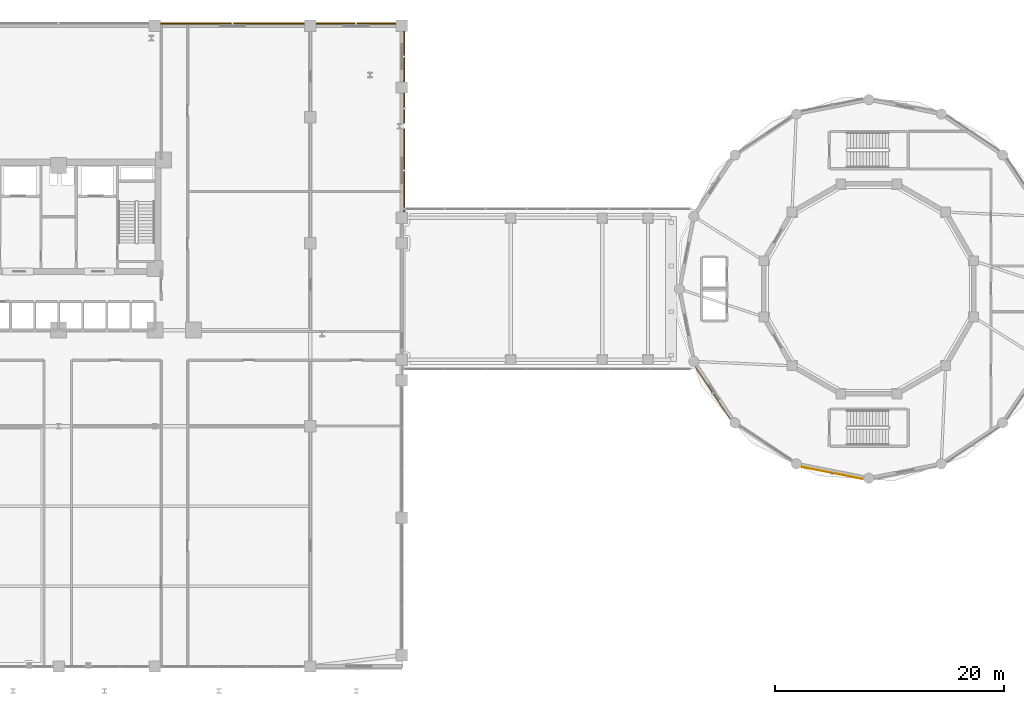
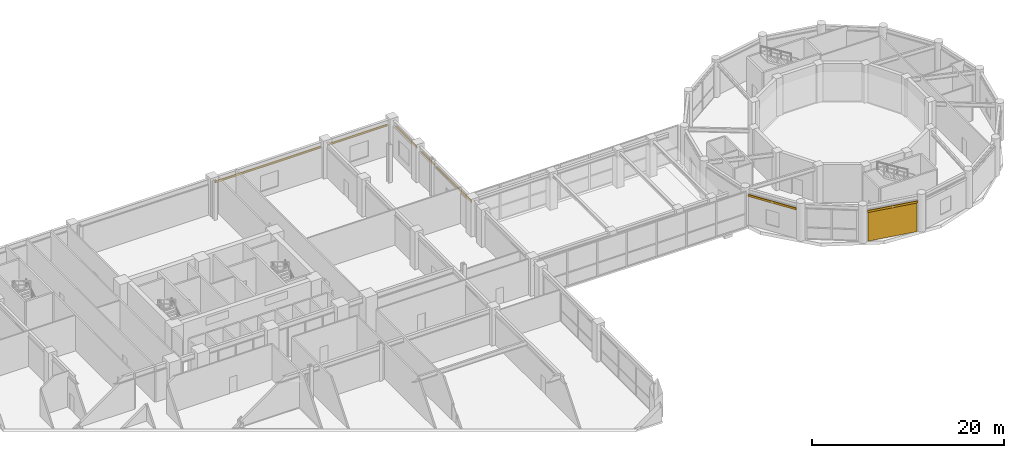
# One storey, part 44 of 48: 7 shading devices, 1 covering.
"""IFC4 building model written with IfcOpenShell, lengths in metres."""

from ifc_helpers import new_model, si_unit, derived_unit, direction, frame, origin, origin_2d, place, context, subcontext, project, spatial, polyline, hollow_rectangle, outline, extrude, source, transform, mapped, material, layer, layer_set, material_profile, profile_set, type_object, element, save


model = new_model("IFC4")

# Units and contexts
model_context = context("Model", 3, precision=1e-05, world=origin(), true_north=direction((0.0, 1.0)))
body_context = subcontext(model_context, "Body", "Model", "MODEL_VIEW")
ifc_project = project(units=[si_unit("LENGTHUNIT", "METRE"), si_unit("AREAUNIT", "SQUARE_METRE"), si_unit("VOLUMEUNIT", "CUBIC_METRE"), si_unit("PLANEANGLEUNIT", "RADIAN"), si_unit("MASSUNIT", "GRAM", prefix="KILO"), derived_unit("THERMALTRANSMITTANCEUNIT", [(si_unit("POWERUNIT", "WATT"), 1), (si_unit("LENGTHUNIT", "METRE"), -2), (si_unit("THERMODYNAMICTEMPERATUREUNIT", "KELVIN"), -1)])], contexts=[model_context])

# Site, building, storey
site_placement = place(None, origin())
site = spatial("IfcSite", under=ifc_project, at=site_placement, CompositionType="ELEMENT")
building_placement = place(site_placement, origin())
building = spatial("IfcBuilding", under=site, at=building_placement, Name="Korsvarv Bourse and Concert Hall", CompositionType="ELEMENT")
storey_placement = place(building_placement, frame((0.0, 0.0, 4.800048828125)))
storey = spatial("IfcBuildingStorey", under=building, at=storey_placement, Name="L01", CompositionType="ELEMENT", Elevation=4.800048828125)

# Covering
ifc_material_1 = material(Name="Warm iron-oxide extruded terracotta rainscreen tile", Category="ceramic")
ifc_layer = layer(ifc_material_1, 0.044921875)
ifc_layer_set = layer_set([ifc_layer], Name="Warm iron-oxide extruded terracotta rainscreen tile")
covering_type = type_object("IfcCoveringType", Name="COV-CLD-TC", PredefinedType="CLADDING", material=ifc_layer_set)
covering_placement = place(storey_placement, origin())
element("IfcCovering", 1, at=covering_placement, inside=storey, type_object=covering_type, Name="L01 fluted terracotta cladding panel EW-L01-CHD12", PredefinedType="CLADDING", context=body_context, shape_type="SweptSolid", body=[
    extrude(outline(polyline([(100.965087890625, 20.472900390625), (106.248779296875, 19.422119140625), (106.239990234375, 19.3779296875), (100.956298828125, 20.428955078125), (100.965087890625, 20.472900390625)])), origin(), (0.0, 0.0, 1.0), 3.6298828125),
])

# Shading devices
ifc_material_2 = material(Name="Glazed extruded architectural terracotta", Category="ceramic")
ifc_material_profile = material_profile(ifc_material_2, hollow_rectangle(XDim=0.090087890625, YDim=0.260009765625, WallThickness=0.011962890625, at=origin_2d()), Name="TC-BAG 90x260")
ifc_profile_set = profile_set([ifc_material_profile], Name="Glazed extruded architectural terracotta")
shading_device_type = type_object("IfcShadingDeviceType", Name="SHD-BAG-1", PredefinedType="USERDEFINED", material=ifc_profile_set)
shared_shape_1 = source(origin(), body_context, "Body", "SweptSolid", [
    extrude(hollow_rectangle(XDim=0.090087890625, YDim=0.260009765625, WallThickness=0.011962890625, at=origin_2d()), origin(), (0.0, 0.0, 1.0), 12.590087890625),
])
shading_device_1_placement = place(storey_placement, frame((44.905029296875, 59.195068359375, 3.659912109375), z_axis=(1.0, 0.0, 0.0), x_axis=(0.0, 1.0, 0.0)))
element("IfcShadingDevice", 2, at=shading_device_1_placement, inside=storey, type_object=shading_device_type, Name="L01 terracotta baguette sunshade EW-L01-N4", ObjectType="BAGUETTE", PredefinedType="USERDEFINED", context=body_context, shape_type="MappedRepresentation", body=[
    mapped(shared_shape_1, transform((0.0, 0.0, 0.0), scale=1.0)),
])
shared_shape_2 = source(origin(), body_context, "Body", "SweptSolid", [
    extrude(hollow_rectangle(XDim=0.090087890625, YDim=0.260009765625, WallThickness=0.011962890625, at=origin_2d()), origin(), (0.0, 0.0, 1.0), 6.990234375),
])
shading_device_2_placement = place(storey_placement, frame((58.5048828125, 59.195068359375, 3.659912109375), z_axis=(1.0, 0.0, 0.0), x_axis=(0.0, 1.0, 0.0)))
element("IfcShadingDevice", 3, at=shading_device_2_placement, inside=storey, type_object=shading_device_type, Name="L01 terracotta baguette sunshade EW-L01-N5", ObjectType="BAGUETTE", PredefinedType="USERDEFINED", context=body_context, shape_type="MappedRepresentation", body=[
    mapped(shared_shape_2, transform((0.0, 0.0, 0.0), scale=1.0)),
])
shared_shape_3 = source(origin(), body_context, "Body", "SweptSolid", [
    extrude(hollow_rectangle(XDim=0.090087890625, YDim=0.260009765625, WallThickness=0.011962890625, at=origin_2d()), origin(), (0.0, 0.0, 1.0), 2.6357421875),
])
shading_device_3_placement = place(storey_placement, frame((66.195068359375, 50.459228515625, 3.659912109375), z_axis=(0.0, 1.0, 0.0), x_axis=(-1.0, 0.0, 0.0)))
element("IfcShadingDevice", 4, at=shading_device_3_placement, inside=storey, type_object=shading_device_type, Name="L01 terracotta baguette sunshade EW-L01-E3-2", ObjectType="BAGUETTE", PredefinedType="USERDEFINED", context=body_context, shape_type="MappedRepresentation", body=[
    mapped(shared_shape_3, transform((0.0, 0.0, 0.0), scale=1.0)),
])
shared_shape_4 = source(origin(), body_context, "Body", "SweptSolid", [
    extrude(hollow_rectangle(XDim=0.090087890625, YDim=0.260009765625, WallThickness=0.011962890625, at=origin_2d()), origin(), (0.0, 0.0, 1.0), 4.39013671875),
])
shading_device_4_placement = place(storey_placement, frame((66.195068359375, 54.10498046875, 3.659912109375), z_axis=(0.0, 1.0, 0.0), x_axis=(-1.0, 0.0, 0.0)))
element("IfcShadingDevice", 5, at=shading_device_4_placement, inside=storey, type_object=shading_device_type, Name="L01 terracotta baguette sunshade EW-L01-E4", ObjectType="BAGUETTE", PredefinedType="USERDEFINED", context=body_context, shape_type="MappedRepresentation", body=[
    mapped(shared_shape_4, transform((0.0, 0.0, 0.0), scale=1.0)),
])
shared_shape_5 = source(origin(), body_context, "Body", "SweptSolid", [
    extrude(hollow_rectangle(XDim=0.090087890625, YDim=0.260009765625, WallThickness=0.011962890625, at=origin_2d()), origin(), (0.0, 0.0, 1.0), 7.27001953125),
])
shading_device_5_placement = place(storey_placement, frame((66.195068359375, 42.705078125, 3.659912109375), z_axis=(0.0, 1.0, 0.0), x_axis=(-1.0, 0.0, 0.0)))
element("IfcShadingDevice", 6, at=shading_device_5_placement, inside=storey, type_object=shading_device_type, Name="L01 terracotta baguette sunshade EW-L01-E3-1", ObjectType="BAGUETTE", PredefinedType="USERDEFINED", context=body_context, shape_type="MappedRepresentation", body=[
    mapped(shared_shape_5, transform((0.0, 0.0, 0.0), scale=1.0)),
])
shared_shape_6 = source(origin(), body_context, "Body", "SweptSolid", [
    extrude(hollow_rectangle(XDim=0.090087890625, YDim=0.260009765625, WallThickness=0.011962890625, at=origin_2d()), origin(), (0.0, 0.0, 1.0), 5.54736328125),
])
for number, where, z_axis, x_axis, name in (
    (7, (91.6171875, 29.191162109375, 3.7900390625), (0.555573305798, -0.831467559129, 0.0), (0.831467559129, 0.555573305798, 0.0), "L01 terracotta baguette sunshade EW-L01-CHD10"),
    (8, (100.87890625, 20.449462890625, 3.7900390625), (0.980783277025, -0.195100393406, 0.0), (0.195100393406, 0.980783277025, 0.0), "L01 terracotta baguette sunshade EW-L01-CHD12"),
):
    element("IfcShadingDevice", number, at=place(storey_placement, frame(where, z_axis=z_axis, x_axis=x_axis)), inside=storey, type_object=shading_device_type, Name=name, ObjectType="BAGUETTE", PredefinedType="USERDEFINED", context=body_context, shape_type="MappedRepresentation", body=[
        mapped(shared_shape_6, transform((0.0, 0.0, 0.0), scale=1.0)),
    ])

save(model, "model.ifc")
